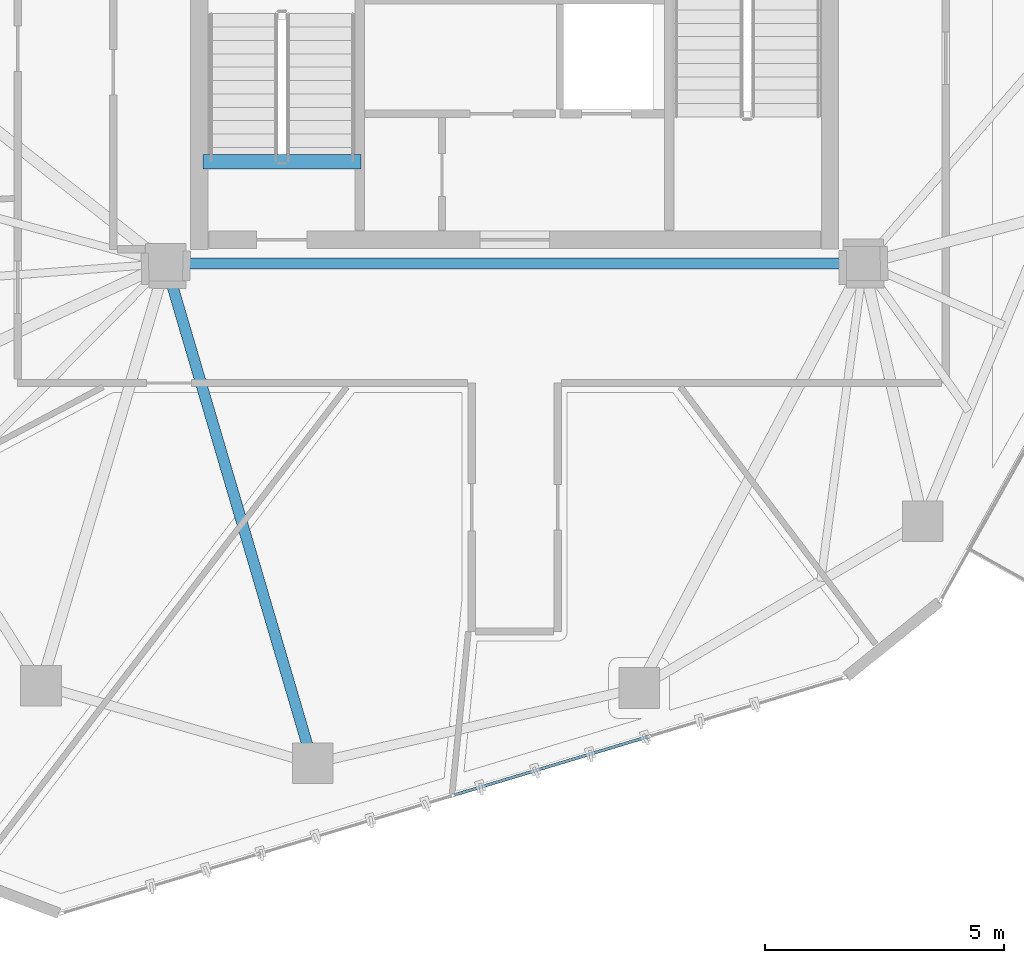
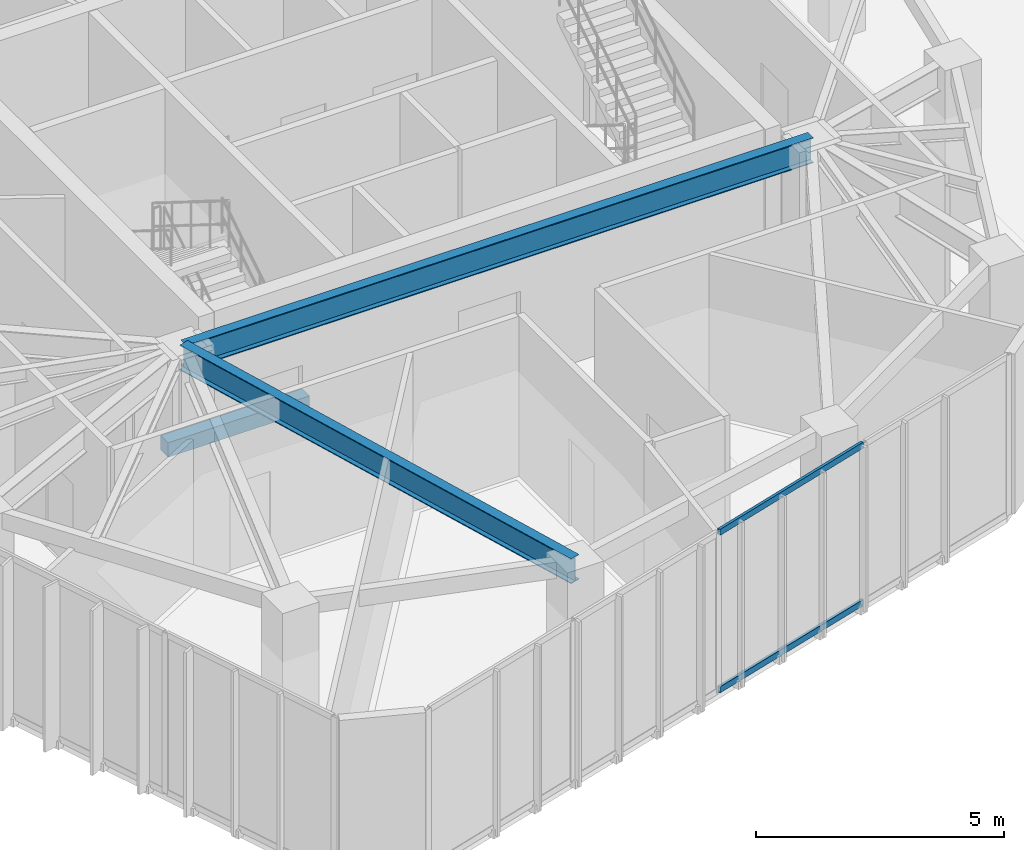
# One storey, part 5 of 20: 3 beams, 2 members, 1 element without a shape of its own.
"""IFC4 building model written with IfcOpenShell, lengths in metres."""

from ifc_helpers import new_model, si_unit, direction, frame, origin, origin_2d, place, context, subcontext, project, spatial, rectangle, hollow_rectangle, i_section, extrude, source, transform, mapped, material, layer, layer_set, material_profile, profile_set, type_object, type_shapes, element, aggregate, save


model = new_model("IFC4")

# Units and contexts
model_context = context("Model", 3, precision=1e-05, world=origin(), true_north=direction((0.0, 1.0)))
body_context = subcontext(model_context, "Body", "Model", "MODEL_VIEW")
ifc_project = project(units=[si_unit("LENGTHUNIT", "METRE"), si_unit("AREAUNIT", "SQUARE_METRE"), si_unit("VOLUMEUNIT", "CUBIC_METRE"), si_unit("PLANEANGLEUNIT", "RADIAN"), si_unit("MASSUNIT", "GRAM", prefix="KILO")], contexts=[model_context])

# Site, building, storey
site_placement = place(None, origin())
site = spatial("IfcSite", under=ifc_project, at=site_placement, CompositionType="ELEMENT")
building_placement = place(site_placement, origin())
building = spatial("IfcBuilding", under=site, at=building_placement, Name="Talar Marvaseh", CompositionType="ELEMENT")
storey_placement = place(building_placement, frame((0.0, 0.0, 291.800048828125)))
storey = spatial("IfcBuildingStorey", under=building, at=storey_placement, Name="L78", CompositionType="ELEMENT", Elevation=291.800048828125)

# Beams
ifc_material_1 = material(Name="Concrete C40/50", Category="concrete")
ifc_material_profile_1 = material_profile(ifc_material_1, rectangle(XDim=0.300048828125, YDim=0.360107421875, at=origin_2d()), Name="RC300x360")
ifc_profile_set_1 = profile_set([ifc_material_profile_1], Name="Concrete C40/50")
beam_type_1 = type_object("IfcBeamType", Name="Concrete Stair Landing Trimmer Beam RC300x360", PredefinedType="SPANDREL", material=ifc_profile_set_1)
beam_1_placement = place(storey_placement, frame((22.780029296875, 27.6298828125, -0.179931640625), z_axis=(-1.0, 0.0, 0.0), x_axis=(0.0, -1.0, 0.0)))
element("IfcBeam", 1, at=beam_1_placement, inside=storey, type_object=beam_type_1, Name="L78 ST-1 Stair Nosing Trimmer Beam", PredefinedType="SPANDREL", context=body_context, shape_type="SweptSolid", body=[
    extrude(rectangle(XDim=0.300048828125, YDim=0.360107421875, at=origin_2d()), origin(), (0.0, 0.0, 1.0), 3.300048828125),
])
ifc_material_2 = material(Name="Steel S355", Category="steel")
ifc_material_profile_2 = material_profile(ifc_material_2, i_section(OverallWidth=0.22998046875, OverallDepth=0.616943359375, WebThickness=0.01318359375, FlangeThickness=0.022216796875, at=origin_2d()), Name="W610x140")
ifc_profile_set_2 = profile_set([ifc_material_profile_2], Name="Steel S355")
beam_type_2 = type_object("IfcBeamType", Name="Zone 4 Radial Floor Girder W610x140", PredefinedType="BEAM", material=ifc_profile_set_2)
beam_2_placement = place(storey_placement, frame((18.699951171875, 25.5, 3.63134765625), z_axis=(1.0, 0.0, 0.0), x_axis=(0.0, 1.0, 0.0)))
element("IfcBeam", 2, at=beam_2_placement, inside=storey, type_object=beam_type_2, Name="L78 Zone 4 Radial Floor Girder W610x140", PredefinedType="BEAM", context=body_context, shape_type="SweptSolid", body=[
    extrude(i_section(OverallWidth=0.22998046875, OverallDepth=0.616943359375, WebThickness=0.01318359375, FlangeThickness=0.022216796875, at=origin_2d()), origin(), (0.0, 0.0, 1.0), 14.60009765625),
])
beam_3_placement = place(storey_placement, frame((21.77587890625, 15.0400390625, 3.63134765625), z_axis=(-0.28212146763, 0.959378693479, 0.0), x_axis=(-0.959378693479, -0.28212146763, 0.0)))
element("IfcBeam", 3, at=beam_3_placement, inside=storey, type_object=beam_type_2, Name="L78 Zone 4 Radial Floor Girder W610x140", PredefinedType="BEAM", context=body_context, shape_type="SweptSolid", body=[
    extrude(i_section(OverallWidth=0.22998046875, OverallDepth=0.616943359375, WebThickness=0.01318359375, FlangeThickness=0.022216796875, at=origin_2d()), origin(), (0.0, 0.0, 1.0), 10.90283203125),
])

# Curtain wall, members
ifc_material_3 = material(Name="Architectural Aluminium", Category="aluminium")
ifc_layer = layer(ifc_material_3, 0.239990234375)
ifc_layer_set = layer_set([ifc_layer], Name="Architectural Aluminium")
curtain_wall_type = type_object("IfcCurtainWallType", Name="Observation Sky Gallery Structural Glass Wall", PredefinedType="NOTDEFINED", material=ifc_layer_set)
curtain_wall_placement = place(storey_placement, origin())
curtain_wall = element("IfcCurtainWall", 4, at=curtain_wall_placement, inside=storey, type_object=curtain_wall_type, Name="L78 Observation Sky Gallery Structural Glass Wall", PredefinedType="NOTDEFINED")
ifc_material_profile_3 = material_profile(ifc_material_3, hollow_rectangle(XDim=0.06494140625, YDim=0.14990234375, WallThickness=0.00390625, at=origin_2d()), Name="RHS150x65x4")
ifc_profile_set_3 = profile_set([ifc_material_profile_3], Name="Architectural Aluminium")
member_type = type_object("IfcMemberType", Name="Unitised Curtain Wall Slim Transom RHS150x65x4", PredefinedType="USERDEFINED", material=ifc_profile_set_3)
shared_shape = source(origin(), body_context, "Body", "SweptSolid", [
    extrude(hollow_rectangle(XDim=0.06494140625, YDim=0.14990234375, WallThickness=0.00390625, at=origin_2d()), origin(), (0.0, 0.0, 1.0), 4.22119140625),
])
type_shapes(member_type, [shared_shape])
member_1_placement = place(storey_placement, frame((28.78466796875, 15.59765625, 0.032470703125), z_axis=(-0.95752011873, -0.288366472094, 0.0), x_axis=(0.288366472094, -0.95752011873, 0.0)))
member_1 = element("IfcMember", 5, at=member_1_placement, type_object=member_type, Name="CW-OBS transom 2.1", ObjectType="TRANSOM", PredefinedType="USERDEFINED", context=body_context, shape_type="MappedRepresentation", body=[
    mapped(shared_shape, transform((0.0, 0.0, 0.0), x_axis=(1.0, 0.0, 0.0), y_axis=(0.0, 1.0, 0.0), z_axis=(0.0, 0.0, 1.0), scale=1.0)),
])
member_2_placement = place(storey_placement, frame((28.78466796875, 15.59765625, 3.907470703125), z_axis=(-0.95752011873, -0.288366472094, 0.0), x_axis=(0.288366472094, -0.95752011873, 0.0)))
member_2 = element("IfcMember", 6, at=member_2_placement, type_object=member_type, Name="CW-OBS transom 2.2", ObjectType="TRANSOM", PredefinedType="USERDEFINED", context=body_context, shape_type="MappedRepresentation", body=[
    mapped(shared_shape, transform((0.0, 0.0, 0.0), x_axis=(1.0, 0.0, 0.0), y_axis=(0.0, 1.0, 0.0), z_axis=(0.0, 0.0, 1.0), scale=1.0)),
])
aggregate(curtain_wall, [member_1, member_2])

save(model, "model.ifc")
